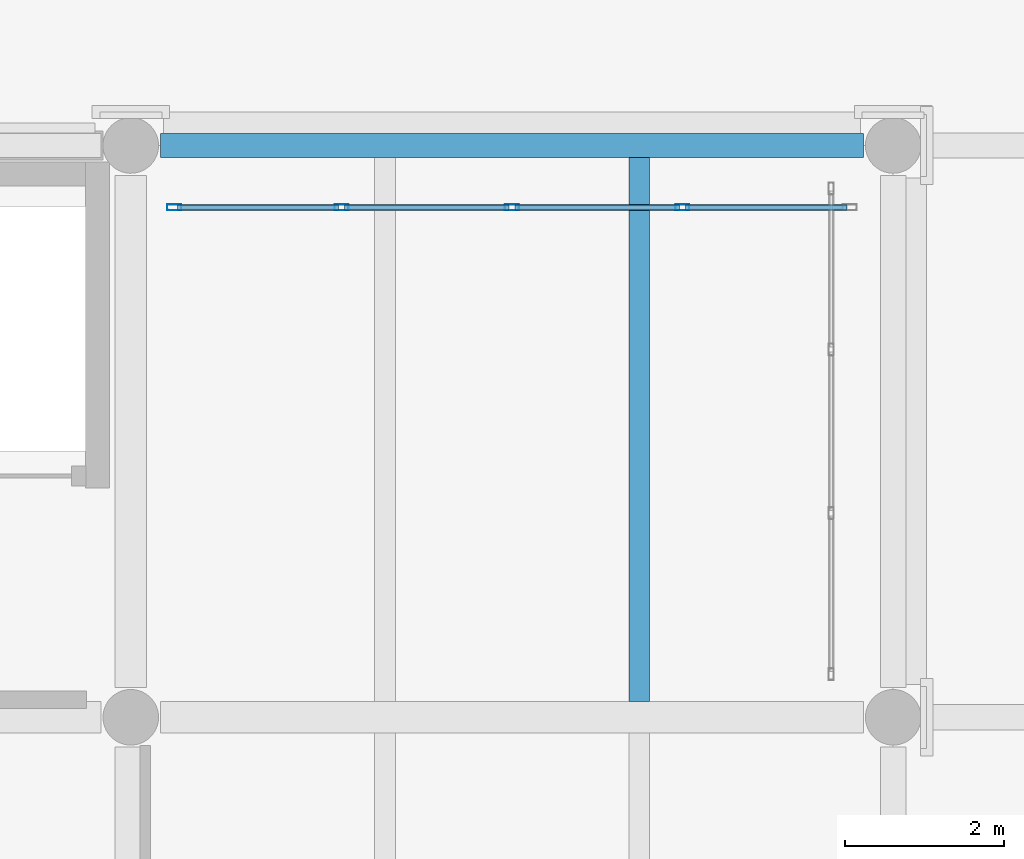
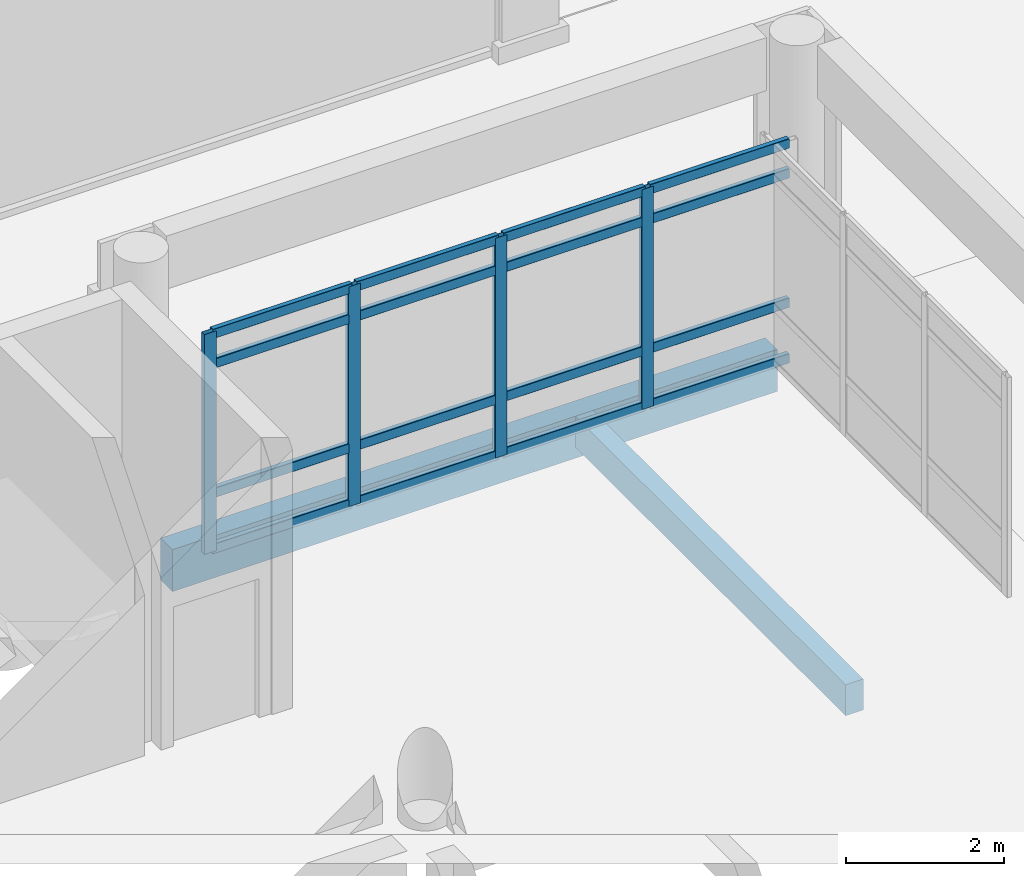
# One storey, part 63 of 196: 20 members, 2 beams, 1 element without a shape of its own.
"""IFC4 building model written with IfcOpenShell, lengths in metres."""

from ifc_helpers import new_model, si_unit, direction, frame, origin, origin_2d, place, context, subcontext, project, spatial, rectangle, hollow_rectangle, extrude, material, layer, layer_set, material_profile, profile_set, type_object, element, aggregate, save


model = new_model("IFC4")

# Units and contexts
model_context = context("Model", 3, precision=1e-05, world=origin(), true_north=direction((0.0, 1.0)))
body_context = subcontext(model_context, "Body", "Model", "MODEL_VIEW")
ifc_project = project(units=[si_unit("LENGTHUNIT", "METRE"), si_unit("AREAUNIT", "SQUARE_METRE"), si_unit("VOLUMEUNIT", "CUBIC_METRE"), si_unit("PLANEANGLEUNIT", "RADIAN"), si_unit("MASSUNIT", "GRAM", prefix="KILO")], contexts=[model_context])

# Site, building, storey
site_placement = place(None, origin())
site = spatial("IfcSite", under=ifc_project, at=site_placement, CompositionType="ELEMENT")
building_placement = place(site_placement, origin())
building = spatial("IfcBuilding", under=site, at=building_placement, Name="Asteropetra Specialist Clinic", CompositionType="ELEMENT")
storey_placement = place(building_placement, origin())
storey = spatial("IfcBuildingStorey", under=building, at=storey_placement, Name="L00", CompositionType="ELEMENT", Elevation=0.0)

# Curtain wall, members
ifc_material_1 = material(Name="Aluminium and low-E glass", Category="aluminium")
ifc_layer = layer(ifc_material_1, 0.14990234375)
ifc_layer_set = layer_set([ifc_layer], Name="Aluminium and low-E glass")
curtain_wall_type = type_object("IfcCurtainWallType", Name="CW-SYS-11", PredefinedType="USERDEFINED", material=ifc_layer_set)
curtain_wall_placement = place(storey_placement, origin())
curtain_wall = element("IfcCurtainWall", 1, at=curtain_wall_placement, inside=storey, type_object=curtain_wall_type, Name="Curtain Wall CW-150", ObjectType="STICK GLAZED COLONNADE", PredefinedType="USERDEFINED")
ifc_material_2 = material(Name="Aluminium 6063-T6", Category="aluminium")
ifc_material_profile_1 = material_profile(ifc_material_2, hollow_rectangle(XDim=0.074951171875, YDim=0.179931640625, WallThickness=0.00390625, InnerFilletRadius=0.00390625, OuterFilletRadius=0.008056640625, at=origin_2d()), Name="MUL 180x75x4.0")
ifc_profile_set_1 = profile_set([ifc_material_profile_1], Name="Aluminium 6063-T6")
member_type_1 = type_object("IfcMemberType", Name="CWM-180x75", PredefinedType="MULLION", material=ifc_profile_set_1)
member_1_placement = place(storey_placement, frame((45.344970703125, 61.6201171875, 0.0), z_axis=(0.0, 0.0, 1.0), x_axis=(0.0, -1.0, 0.0)))
member_1 = element("IfcMember", 2, at=member_1_placement, type_object=member_type_1, Name="CW-150 mullion 2", PredefinedType="MULLION", context=body_context, shape_type="SweptSolid", body=[
    extrude(hollow_rectangle(XDim=0.074951171875, YDim=0.179931640625, WallThickness=0.00390625, InnerFilletRadius=0.00390625, OuterFilletRadius=0.008056640625, at=origin_2d()), origin(), (0.0, 0.0, 1.0), 3.39990234375),
])
member_2_placement = place(storey_placement, frame((43.199951171875, 61.6201171875, 0.0), z_axis=(0.0, 0.0, 1.0), x_axis=(0.0, -1.0, 0.0)))
member_2 = element("IfcMember", 3, at=member_2_placement, type_object=member_type_1, Name="CW-150 mullion 3", PredefinedType="MULLION", context=body_context, shape_type="SweptSolid", body=[
    extrude(hollow_rectangle(XDim=0.074951171875, YDim=0.179931640625, WallThickness=0.00390625, InnerFilletRadius=0.00390625, OuterFilletRadius=0.008056640625, at=origin_2d()), origin(), (0.0, 0.0, 1.0), 3.39990234375),
])
member_3_placement = place(storey_placement, frame((41.054931640625, 61.6201171875, 0.0), z_axis=(0.0, 0.0, 1.0), x_axis=(0.0, -1.0, 0.0)))
member_3 = element("IfcMember", 4, at=member_3_placement, type_object=member_type_1, Name="CW-150 mullion 4", PredefinedType="MULLION", context=body_context, shape_type="SweptSolid", body=[
    extrude(hollow_rectangle(XDim=0.074951171875, YDim=0.179931640625, WallThickness=0.00390625, InnerFilletRadius=0.00390625, OuterFilletRadius=0.008056640625, at=origin_2d()), origin(), (0.0, 0.0, 1.0), 3.39990234375),
])
member_4_placement = place(storey_placement, frame((38.947509765625, 61.6201171875, 0.0), z_axis=(0.0, 0.0, 1.0), x_axis=(0.0, -1.0, 0.0)))
member_4 = element("IfcMember", 5, at=member_4_placement, type_object=member_type_1, Name="CW-150 mullion 5", PredefinedType="MULLION", context=body_context, shape_type="SweptSolid", body=[
    extrude(hollow_rectangle(XDim=0.074951171875, YDim=0.179931640625, WallThickness=0.00390625, InnerFilletRadius=0.00390625, OuterFilletRadius=0.008056640625, at=origin_2d()), origin(), (0.0, 0.0, 1.0), 3.39990234375),
])
ifc_material_3 = material(Name="Aluminium 6063-T6", Category="aluminium")
ifc_material_profile_2 = material_profile(ifc_material_3, hollow_rectangle(XDim=0.074951171875, YDim=0.14990234375, WallThickness=0.00390625, InnerFilletRadius=0.00390625, OuterFilletRadius=0.008056640625, at=origin_2d()), Name="TRN 150x75x4.0")
ifc_profile_set_2 = profile_set([ifc_material_profile_2], Name="Aluminium 6063-T6")
member_type_2 = type_object("IfcMemberType", Name="CWT-150x75", PredefinedType="USERDEFINED", material=ifc_profile_set_2)
member_5_placement = place(storey_placement, frame((47.4150390625, 61.6201171875, 0.03759765625), z_axis=(-1.0, 0.0, 0.0), x_axis=(0.0, -1.0, 0.0)))
member_5 = element("IfcMember", 6, at=member_5_placement, type_object=member_type_2, Name="CW-150 transom 1.1", ObjectType="TRANSOM", PredefinedType="USERDEFINED", context=body_context, shape_type="SweptSolid", body=[
    extrude(hollow_rectangle(XDim=0.074951171875, YDim=0.14990234375, WallThickness=0.00390625, InnerFilletRadius=0.00390625, OuterFilletRadius=0.008056640625, at=origin_2d()), origin(), (0.0, 0.0, 1.0), 2.032470703125),
])
member_6_placement = place(storey_placement, frame((47.4150390625, 61.6201171875, 0.89990234375), z_axis=(-1.0, 0.0, 0.0), x_axis=(0.0, -1.0, 0.0)))
member_6 = element("IfcMember", 7, at=member_6_placement, type_object=member_type_2, Name="CW-150 transom 1.2", ObjectType="TRANSOM", PredefinedType="USERDEFINED", context=body_context, shape_type="SweptSolid", body=[
    extrude(hollow_rectangle(XDim=0.074951171875, YDim=0.14990234375, WallThickness=0.00390625, InnerFilletRadius=0.00390625, OuterFilletRadius=0.008056640625, at=origin_2d()), origin(), (0.0, 0.0, 1.0), 2.032470703125),
])
member_7_placement = place(storey_placement, frame((47.4150390625, 61.6201171875, 2.89990234375), z_axis=(-1.0, 0.0, 0.0), x_axis=(0.0, -1.0, 0.0)))
member_7 = element("IfcMember", 8, at=member_7_placement, type_object=member_type_2, Name="CW-150 transom 1.3", ObjectType="TRANSOM", PredefinedType="USERDEFINED", context=body_context, shape_type="SweptSolid", body=[
    extrude(hollow_rectangle(XDim=0.074951171875, YDim=0.14990234375, WallThickness=0.00390625, InnerFilletRadius=0.00390625, OuterFilletRadius=0.008056640625, at=origin_2d()), origin(), (0.0, 0.0, 1.0), 2.032470703125),
])
member_8_placement = place(storey_placement, frame((47.4150390625, 61.6201171875, 3.362548828125), z_axis=(-1.0, 0.0, 0.0), x_axis=(0.0, -1.0, 0.0)))
member_8 = element("IfcMember", 9, at=member_8_placement, type_object=member_type_2, Name="CW-150 transom 1.4", ObjectType="TRANSOM", PredefinedType="USERDEFINED", context=body_context, shape_type="SweptSolid", body=[
    extrude(hollow_rectangle(XDim=0.074951171875, YDim=0.14990234375, WallThickness=0.00390625, InnerFilletRadius=0.00390625, OuterFilletRadius=0.008056640625, at=origin_2d()), origin(), (0.0, 0.0, 1.0), 2.032470703125),
])
member_9_placement = place(storey_placement, frame((45.3076171875, 61.6201171875, 0.03759765625), z_axis=(-1.0, 0.0, 0.0), x_axis=(0.0, -1.0, 0.0)))
member_9 = element("IfcMember", 10, at=member_9_placement, type_object=member_type_2, Name="CW-150 transom 2.1", ObjectType="TRANSOM", PredefinedType="USERDEFINED", context=body_context, shape_type="SweptSolid", body=[
    extrude(hollow_rectangle(XDim=0.074951171875, YDim=0.14990234375, WallThickness=0.00390625, InnerFilletRadius=0.00390625, OuterFilletRadius=0.008056640625, at=origin_2d()), origin(), (0.0, 0.0, 1.0), 2.070068359375),
])
member_10_placement = place(storey_placement, frame((45.3076171875, 61.6201171875, 0.89990234375), z_axis=(-1.0, 0.0, 0.0), x_axis=(0.0, -1.0, 0.0)))
member_10 = element("IfcMember", 11, at=member_10_placement, type_object=member_type_2, Name="CW-150 transom 2.2", ObjectType="TRANSOM", PredefinedType="USERDEFINED", context=body_context, shape_type="SweptSolid", body=[
    extrude(hollow_rectangle(XDim=0.074951171875, YDim=0.14990234375, WallThickness=0.00390625, InnerFilletRadius=0.00390625, OuterFilletRadius=0.008056640625, at=origin_2d()), origin(), (0.0, 0.0, 1.0), 2.070068359375),
])
member_11_placement = place(storey_placement, frame((45.3076171875, 61.6201171875, 2.89990234375), z_axis=(-1.0, 0.0, 0.0), x_axis=(0.0, -1.0, 0.0)))
member_11 = element("IfcMember", 12, at=member_11_placement, type_object=member_type_2, Name="CW-150 transom 2.3", ObjectType="TRANSOM", PredefinedType="USERDEFINED", context=body_context, shape_type="SweptSolid", body=[
    extrude(hollow_rectangle(XDim=0.074951171875, YDim=0.14990234375, WallThickness=0.00390625, InnerFilletRadius=0.00390625, OuterFilletRadius=0.008056640625, at=origin_2d()), origin(), (0.0, 0.0, 1.0), 2.070068359375),
])
member_12_placement = place(storey_placement, frame((45.3076171875, 61.6201171875, 3.362548828125), z_axis=(-1.0, 0.0, 0.0), x_axis=(0.0, -1.0, 0.0)))
member_12 = element("IfcMember", 13, at=member_12_placement, type_object=member_type_2, Name="CW-150 transom 2.4", ObjectType="TRANSOM", PredefinedType="USERDEFINED", context=body_context, shape_type="SweptSolid", body=[
    extrude(hollow_rectangle(XDim=0.074951171875, YDim=0.14990234375, WallThickness=0.00390625, InnerFilletRadius=0.00390625, OuterFilletRadius=0.008056640625, at=origin_2d()), origin(), (0.0, 0.0, 1.0), 2.070068359375),
])
member_13_placement = place(storey_placement, frame((43.16259765625, 61.6201171875, 0.03759765625), z_axis=(-1.0, 0.0, 0.0), x_axis=(0.0, -1.0, 0.0)))
member_13 = element("IfcMember", 14, at=member_13_placement, type_object=member_type_2, Name="CW-150 transom 3.1", ObjectType="TRANSOM", PredefinedType="USERDEFINED", context=body_context, shape_type="SweptSolid", body=[
    extrude(hollow_rectangle(XDim=0.074951171875, YDim=0.14990234375, WallThickness=0.00390625, InnerFilletRadius=0.00390625, OuterFilletRadius=0.008056640625, at=origin_2d()), origin(), (0.0, 0.0, 1.0), 2.070068359375),
])
member_14_placement = place(storey_placement, frame((43.16259765625, 61.6201171875, 0.89990234375), z_axis=(-1.0, 0.0, 0.0), x_axis=(0.0, -1.0, 0.0)))
member_14 = element("IfcMember", 15, at=member_14_placement, type_object=member_type_2, Name="CW-150 transom 3.2", ObjectType="TRANSOM", PredefinedType="USERDEFINED", context=body_context, shape_type="SweptSolid", body=[
    extrude(hollow_rectangle(XDim=0.074951171875, YDim=0.14990234375, WallThickness=0.00390625, InnerFilletRadius=0.00390625, OuterFilletRadius=0.008056640625, at=origin_2d()), origin(), (0.0, 0.0, 1.0), 2.070068359375),
])
member_15_placement = place(storey_placement, frame((43.16259765625, 61.6201171875, 2.89990234375), z_axis=(-1.0, 0.0, 0.0), x_axis=(0.0, -1.0, 0.0)))
member_15 = element("IfcMember", 16, at=member_15_placement, type_object=member_type_2, Name="CW-150 transom 3.3", ObjectType="TRANSOM", PredefinedType="USERDEFINED", context=body_context, shape_type="SweptSolid", body=[
    extrude(hollow_rectangle(XDim=0.074951171875, YDim=0.14990234375, WallThickness=0.00390625, InnerFilletRadius=0.00390625, OuterFilletRadius=0.008056640625, at=origin_2d()), origin(), (0.0, 0.0, 1.0), 2.070068359375),
])
member_16_placement = place(storey_placement, frame((43.16259765625, 61.6201171875, 3.362548828125), z_axis=(-1.0, 0.0, 0.0), x_axis=(0.0, -1.0, 0.0)))
member_16 = element("IfcMember", 17, at=member_16_placement, type_object=member_type_2, Name="CW-150 transom 3.4", ObjectType="TRANSOM", PredefinedType="USERDEFINED", context=body_context, shape_type="SweptSolid", body=[
    extrude(hollow_rectangle(XDim=0.074951171875, YDim=0.14990234375, WallThickness=0.00390625, InnerFilletRadius=0.00390625, OuterFilletRadius=0.008056640625, at=origin_2d()), origin(), (0.0, 0.0, 1.0), 2.070068359375),
])
member_17_placement = place(storey_placement, frame((41.017578125, 61.6201171875, 0.03759765625), z_axis=(-1.0, 0.0, 0.0), x_axis=(0.0, -1.0, 0.0)))
member_17 = element("IfcMember", 18, at=member_17_placement, type_object=member_type_2, Name="CW-150 transom 4.1", ObjectType="TRANSOM", PredefinedType="USERDEFINED", context=body_context, shape_type="SweptSolid", body=[
    extrude(hollow_rectangle(XDim=0.074951171875, YDim=0.14990234375, WallThickness=0.00390625, InnerFilletRadius=0.00390625, OuterFilletRadius=0.008056640625, at=origin_2d()), origin(), (0.0, 0.0, 1.0), 2.032470703125),
])
member_18_placement = place(storey_placement, frame((41.017578125, 61.6201171875, 0.89990234375), z_axis=(-1.0, 0.0, 0.0), x_axis=(0.0, -1.0, 0.0)))
member_18 = element("IfcMember", 19, at=member_18_placement, type_object=member_type_2, Name="CW-150 transom 4.2", ObjectType="TRANSOM", PredefinedType="USERDEFINED", context=body_context, shape_type="SweptSolid", body=[
    extrude(hollow_rectangle(XDim=0.074951171875, YDim=0.14990234375, WallThickness=0.00390625, InnerFilletRadius=0.00390625, OuterFilletRadius=0.008056640625, at=origin_2d()), origin(), (0.0, 0.0, 1.0), 2.032470703125),
])
member_19_placement = place(storey_placement, frame((41.017578125, 61.6201171875, 2.89990234375), z_axis=(-1.0, 0.0, 0.0), x_axis=(0.0, -1.0, 0.0)))
member_19 = element("IfcMember", 20, at=member_19_placement, type_object=member_type_2, Name="CW-150 transom 4.3", ObjectType="TRANSOM", PredefinedType="USERDEFINED", context=body_context, shape_type="SweptSolid", body=[
    extrude(hollow_rectangle(XDim=0.074951171875, YDim=0.14990234375, WallThickness=0.00390625, InnerFilletRadius=0.00390625, OuterFilletRadius=0.008056640625, at=origin_2d()), origin(), (0.0, 0.0, 1.0), 2.032470703125),
])
member_20_placement = place(storey_placement, frame((41.017578125, 61.6201171875, 3.362548828125), z_axis=(-1.0, 0.0, 0.0), x_axis=(0.0, -1.0, 0.0)))
member_20 = element("IfcMember", 21, at=member_20_placement, type_object=member_type_2, Name="CW-150 transom 4.4", ObjectType="TRANSOM", PredefinedType="USERDEFINED", context=body_context, shape_type="SweptSolid", body=[
    extrude(hollow_rectangle(XDim=0.074951171875, YDim=0.14990234375, WallThickness=0.00390625, InnerFilletRadius=0.00390625, OuterFilletRadius=0.008056640625, at=origin_2d()), origin(), (0.0, 0.0, 1.0), 2.032470703125),
])
aggregate(curtain_wall, [member_1, member_2, member_3, member_4, member_5, member_6, member_7, member_8, member_9, member_10, member_11, member_12, member_13, member_14, member_15, member_16, member_17, member_18, member_19, member_20])

# Beams
ifc_material_4 = material(Name="Concrete C35/45", Category="concrete")
ifc_material_profile_3 = material_profile(ifc_material_4, rectangle(XDim=0.260009765625, YDim=0.47998046875, at=origin_2d()), Name="RCJ 260x480")
ifc_profile_set_3 = profile_set([ifc_material_profile_3], Name="Concrete C35/45")
beam_type_1 = type_object("IfcBeamType", Name="JST-RC260x480", PredefinedType="JOIST", material=ifc_profile_set_3)
beam_1_placement = place(storey_placement, frame((44.800048828125, 55.39990234375, -0.5400390625), z_axis=(0.0, 1.0, 0.0), x_axis=(-1.0, 0.0, 0.0)))
element("IfcBeam", 22, at=beam_1_placement, inside=storey, type_object=beam_type_1, Name="Joist JJST02-0214", PredefinedType="JOIST", context=body_context, shape_type="SweptSolid", body=[
    extrude(rectangle(XDim=0.260009765625, YDim=0.47998046875, at=origin_2d()), origin(), (0.0, 0.0, 1.0), 6.85009765625),
])
ifc_material_5 = material(Name="Concrete C35/45", Category="concrete")
ifc_material_profile_4 = material_profile(ifc_material_5, rectangle(XDim=0.300048828125, YDim=0.64990234375, at=origin_2d()), Name="RCS 300x650")
ifc_profile_set_4 = profile_set([ifc_material_profile_4], Name="Concrete C35/45")
beam_type_2 = type_object("IfcBeamType", Name="SPN-RC300x650", PredefinedType="SPANDREL", material=ifc_profile_set_4)
beam_2_placement = place(storey_placement, frame((38.77490234375, 62.39990234375, -0.625), z_axis=(1.0, 0.0, 0.0), x_axis=(0.0, 1.0, 0.0)))
element("IfcBeam", 23, at=beam_2_placement, inside=storey, type_object=beam_type_2, Name="Beam BSPN03-0157", PredefinedType="SPANDREL", context=body_context, shape_type="SweptSolid", body=[
    extrude(rectangle(XDim=0.300048828125, YDim=0.64990234375, at=origin_2d()), origin(), (0.0, 0.0, 1.0), 8.85009765625),
])

save(model, "model.ifc")
